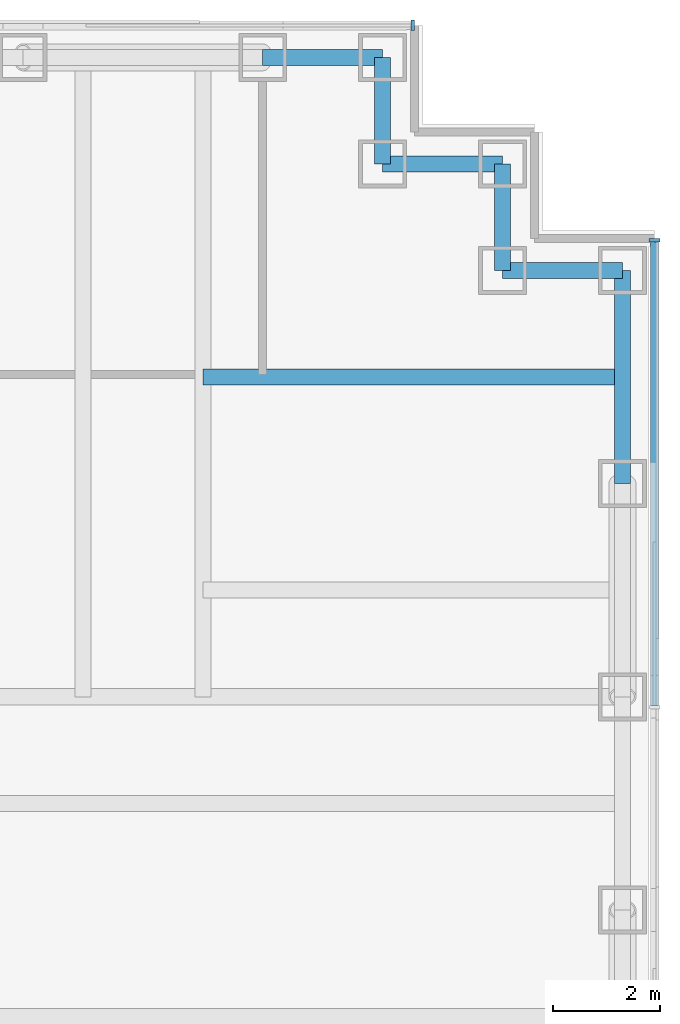
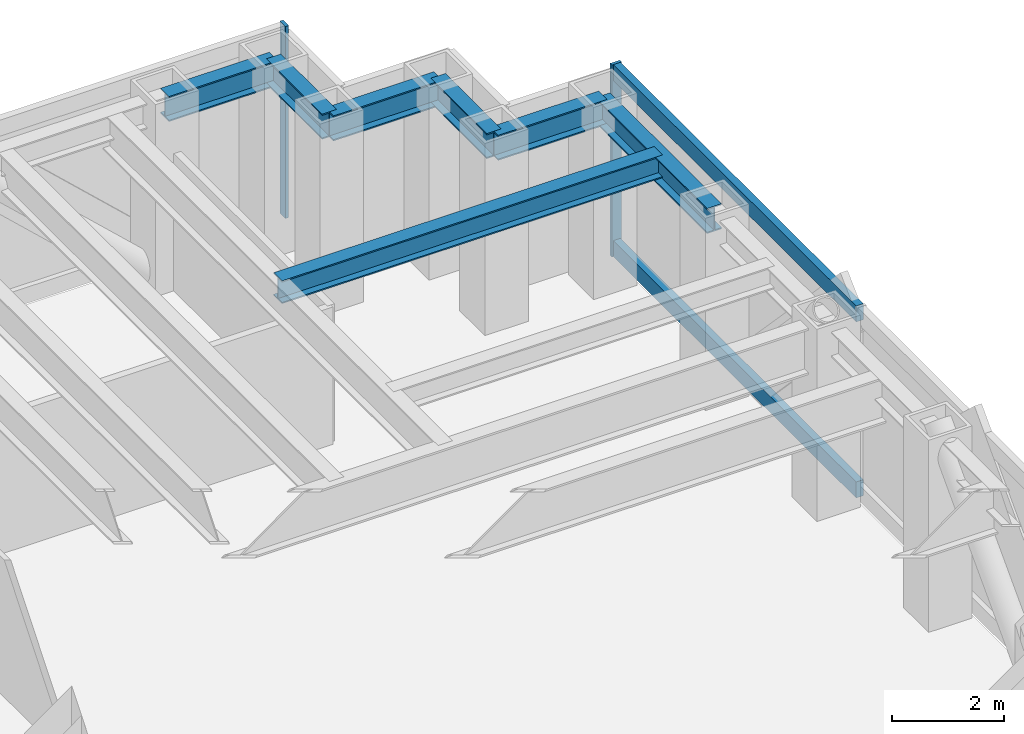
# One storey, part 9 of 15: 7 beams, 4 members, 2 elements without a shape of their own.
"""IFC4 building model written with IfcOpenShell, lengths in metres."""

from ifc_helpers import new_model, si_unit, direction, frame, origin, origin_2d, place, context, subcontext, project, spatial, rectangle, i_section, extrude, material, material_profile, profile_set, type_object, element, aggregate, save


model = new_model("IFC4")

# Units and contexts
model_context = context("Model", 3, precision=1e-05, world=origin(), true_north=direction((0.0, 1.0)))
body_context = subcontext(model_context, "Body", "Model", "MODEL_VIEW")
ifc_project = project(units=[si_unit("LENGTHUNIT", "METRE"), si_unit("AREAUNIT", "SQUARE_METRE"), si_unit("VOLUMEUNIT", "CUBIC_METRE"), si_unit("PLANEANGLEUNIT", "RADIAN"), si_unit("MASSUNIT", "GRAM", prefix="KILO")], contexts=[model_context])

# Site, building, storey
site_placement = place(None, origin())
site = spatial("IfcSite", under=ifc_project, at=site_placement, CompositionType="ELEMENT")
building_placement = place(site_placement, origin())
building = spatial("IfcBuilding", under=site, at=building_placement, Name="Rheinbord Bourse Tower", CompositionType="ELEMENT")
storey_placement = place(building_placement, frame((0.0, 0.0, 279.5)))
storey = spatial("IfcBuildingStorey", under=building, at=storey_placement, Name="L63", CompositionType="ELEMENT", Elevation=279.5)

# Curtain wall, member
ifc_material_1 = material(Name="Dark glass and black aluminium", Category="aluminium")
curtain_wall_type = type_object("IfcCurtainWallType", Name="CW3 DARK GLASS CURTAIN WALL", PredefinedType="USERDEFINED", material=ifc_material_1)
curtain_wall_1_placement = place(storey_placement, origin())
curtain_wall_1 = element("IfcCurtainWall", 1, at=curtain_wall_1_placement, inside=storey, type_object=curtain_wall_type, Name="Curtain wall CW3 E L63", ObjectType="UNITISED CURTAIN WALL", PredefinedType="USERDEFINED")
ifc_material_2 = material(Name="Black anodised aluminium", Category="aluminium")
ifc_material_profile_1 = material_profile(ifc_material_2, rectangle(XDim=0.199951171875, YDim=0.06494140625, at=origin_2d()), Name="CW3 MULLION 65x200")
ifc_profile_set_1 = profile_set([ifc_material_profile_1], Name="Black anodised aluminium")
member_type_1 = type_object("IfcMemberType", Name="CW3 BLACK MULLION", PredefinedType="MULLION", material=ifc_profile_set_1)
member_1_placement = place(storey_placement, frame((70.35009765625, 40.5673828125, 0.0), z_axis=(0.0, 0.0, 1.0), x_axis=(-1.0, 0.0, 0.0)))
member_1 = element("IfcMember", 2, at=member_1_placement, type_object=member_type_1, Name="CW3 mullion 5", PredefinedType="MULLION", context=body_context, shape_type="SweptSolid", body=[
    extrude(rectangle(XDim=0.199951171875, YDim=0.06494140625, at=origin_2d()), origin(), (0.0, 0.0, 1.0), 4.199951171875),
])

curtain_wall_2_placement = place(storey_placement, origin())
curtain_wall_2 = element("IfcCurtainWall", 3, at=curtain_wall_2_placement, inside=storey, type_object=curtain_wall_type, Name="Curtain wall CW3 N L63", ObjectType="UNITISED CURTAIN WALL", PredefinedType="USERDEFINED")
member_2_placement = place(storey_placement, frame((65.8173828125, 44.60009765625, 0.0), z_axis=(0.0, 0.0, 1.0), x_axis=(0.0, -1.0, 0.0)))
member_2 = element("IfcMember", 4, at=member_2_placement, type_object=member_type_1, Name="CW3 mullion 1", PredefinedType="MULLION", context=body_context, shape_type="SweptSolid", body=[
    extrude(rectangle(XDim=0.199951171875, YDim=0.06494140625, at=origin_2d()), origin(), (0.0, 0.0, 1.0), 4.199951171875),
])
aggregate(curtain_wall_2, [member_2])

# Member
ifc_material_3 = material(Name="Black anodised aluminium", Category="aluminium")
ifc_material_profile_2 = material_profile(ifc_material_3, rectangle(XDim=0.14990234375, YDim=0.35009765625, at=origin_2d()), Name="CW3 TRANSOM 350x150")
ifc_profile_set_2 = profile_set([ifc_material_profile_2], Name="Black anodised aluminium")
member_type_2 = type_object("IfcMemberType", Name="CW3 BLACK TRANSOM", PredefinedType="USERDEFINED", material=ifc_profile_set_2)
member_3_placement = place(storey_placement, frame((70.35009765625, 31.83251953125, 0.175048828125), z_axis=(0.0, 1.0, 0.0), x_axis=(-1.0, 0.0, 0.0)))
member_3 = element("IfcMember", 5, at=member_3_placement, type_object=member_type_2, Name="CW3 transom 4.1", ObjectType="TRANSOM", PredefinedType="USERDEFINED", context=body_context, shape_type="SweptSolid", body=[
    extrude(rectangle(XDim=0.14990234375, YDim=0.35009765625, at=origin_2d()), origin(), (0.0, 0.0, 1.0), 8.702392578125),
])

member_4_placement = place(storey_placement, frame((70.35009765625, 31.83251953125, 4.02490234375), z_axis=(0.0, 1.0, 0.0), x_axis=(-1.0, 0.0, 0.0)))
member_4 = element("IfcMember", 6, at=member_4_placement, type_object=member_type_2, Name="CW3 transom 4.2", ObjectType="TRANSOM", PredefinedType="USERDEFINED", context=body_context, shape_type="SweptSolid", body=[
    extrude(rectangle(XDim=0.14990234375, YDim=0.35009765625, at=origin_2d()), origin(), (0.0, 0.0, 1.0), 8.702392578125),
])

aggregate(curtain_wall_1, [member_1, member_3, member_4])

# Beams
ifc_material_4 = material(Name="Steel S460", Category="steel")
ifc_material_profile_3 = material_profile(ifc_material_4, i_section(OverallWidth=0.300048828125, OverallDepth=0.550048828125, WebThickness=0.014892578125, FlangeThickness=0.029052734375, at=origin_2d()), Name="HEB 550")
ifc_profile_set_3 = profile_set([ifc_material_profile_3], Name="Steel S460")
beam_type_1 = type_object("IfcBeamType", Name="SPANDREL HEB 550", PredefinedType="SPANDREL", material=ifc_profile_set_3)
beam_1_placement = place(storey_placement, frame((69.75, 36.0, 3.764892578125), z_axis=(0.0, 1.0, 0.0), x_axis=(-1.0, 0.0, 0.0)))
element("IfcBeam", 7, at=beam_1_placement, inside=storey, type_object=beam_type_1, Name="Spandrel E-36-NE-A under L64", PredefinedType="SPANDREL", context=body_context, shape_type="SweptSolid", body=[
    extrude(i_section(OverallWidth=0.300048828125, OverallDepth=0.550048828125, WebThickness=0.014892578125, FlangeThickness=0.029052734375, at=origin_2d()), origin(), (0.0, 0.0, 1.0), 4.0),
])
beam_2_placement = place(storey_placement, frame((69.75, 40.0, 3.764892578125), z_axis=(-1.0, 0.0, 0.0), x_axis=(0.0, -1.0, 0.0)))
element("IfcBeam", 8, at=beam_2_placement, inside=storey, type_object=beam_type_1, Name="Spandrel NE-A-NE-B under L64", PredefinedType="SPANDREL", context=body_context, shape_type="SweptSolid", body=[
    extrude(i_section(OverallWidth=0.300048828125, OverallDepth=0.550048828125, WebThickness=0.014892578125, FlangeThickness=0.029052734375, at=origin_2d()), origin(), (0.0, 0.0, 1.0), 2.25),
])
beam_3_placement = place(storey_placement, frame((67.5, 40.0, 3.764892578125), z_axis=(0.0, 1.0, 0.0), x_axis=(-1.0, 0.0, 0.0)))
element("IfcBeam", 9, at=beam_3_placement, inside=storey, type_object=beam_type_1, Name="Spandrel NE-B-NE-C under L64", PredefinedType="SPANDREL", context=body_context, shape_type="SweptSolid", body=[
    extrude(i_section(OverallWidth=0.300048828125, OverallDepth=0.550048828125, WebThickness=0.014892578125, FlangeThickness=0.029052734375, at=origin_2d()), origin(), (0.0, 0.0, 1.0), 2.0),
])
beam_4_placement = place(storey_placement, frame((67.5, 42.0, 3.764892578125), z_axis=(-1.0, 0.0, 0.0), x_axis=(0.0, -1.0, 0.0)))
element("IfcBeam", 10, at=beam_4_placement, inside=storey, type_object=beam_type_1, Name="Spandrel NE-C-NE-D under L64", PredefinedType="SPANDREL", context=body_context, shape_type="SweptSolid", body=[
    extrude(i_section(OverallWidth=0.300048828125, OverallDepth=0.550048828125, WebThickness=0.014892578125, FlangeThickness=0.029052734375, at=origin_2d()), origin(), (0.0, 0.0, 1.0), 2.25),
])
beam_5_placement = place(storey_placement, frame((65.25, 42.0, 3.764892578125), z_axis=(0.0, 1.0, 0.0), x_axis=(-1.0, 0.0, 0.0)))
element("IfcBeam", 11, at=beam_5_placement, inside=storey, type_object=beam_type_1, Name="Spandrel NE-D-NE-E under L64", PredefinedType="SPANDREL", context=body_context, shape_type="SweptSolid", body=[
    extrude(i_section(OverallWidth=0.300048828125, OverallDepth=0.550048828125, WebThickness=0.014892578125, FlangeThickness=0.029052734375, at=origin_2d()), origin(), (0.0, 0.0, 1.0), 2.0),
])
beam_6_placement = place(storey_placement, frame((65.25, 44.0, 3.764892578125), z_axis=(-1.0, 0.0, 0.0), x_axis=(0.0, -1.0, 0.0)))
element("IfcBeam", 12, at=beam_6_placement, inside=storey, type_object=beam_type_1, Name="Spandrel NE-E-N-63 under L64", PredefinedType="SPANDREL", context=body_context, shape_type="SweptSolid", body=[
    extrude(i_section(OverallWidth=0.300048828125, OverallDepth=0.550048828125, WebThickness=0.014892578125, FlangeThickness=0.029052734375, at=origin_2d()), origin(), (0.0, 0.0, 1.0), 2.25),
])
ifc_material_5 = material(Name="Steel S460", Category="steel")
ifc_material_profile_4 = material_profile(ifc_material_5, i_section(OverallWidth=0.300048828125, OverallDepth=0.5, WebThickness=0.014404296875, FlangeThickness=0.028076171875, at=origin_2d()), Name="HEB 500")
ifc_profile_set_4 = profile_set([ifc_material_profile_4], Name="Steel S460")
beam_type_2 = type_object("IfcBeamType", Name="TIE BEAM HEB 500", PredefinedType="JOIST", material=ifc_profile_set_4)
beam_7_placement = place(storey_placement, frame((61.875, 38.0, 3.7900390625), z_axis=(1.0, 0.0, 0.0), x_axis=(0.0, 1.0, 0.0)))
element("IfcBeam", 13, at=beam_7_placement, inside=storey, type_object=beam_type_2, Name="Tie east 38 L64", PredefinedType="JOIST", context=body_context, shape_type="SweptSolid", body=[
    extrude(i_section(OverallWidth=0.300048828125, OverallDepth=0.5, WebThickness=0.014404296875, FlangeThickness=0.028076171875, at=origin_2d()), origin(), (0.0, 0.0, 1.0), 7.875),
])

save(model, "model.ifc")
